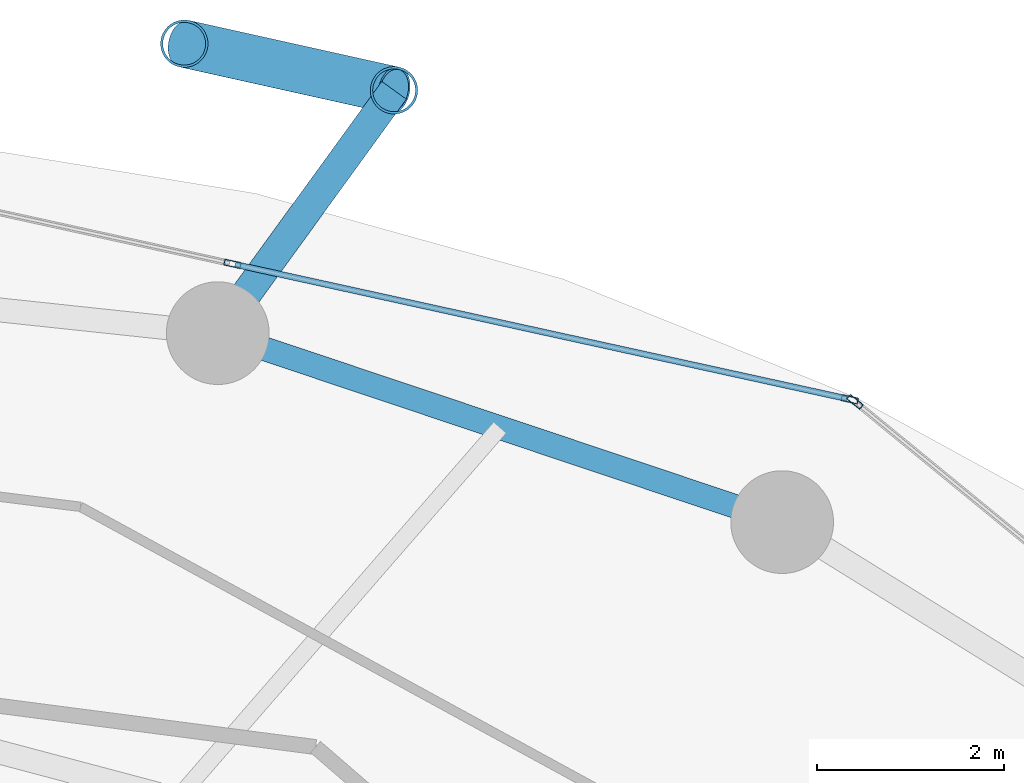
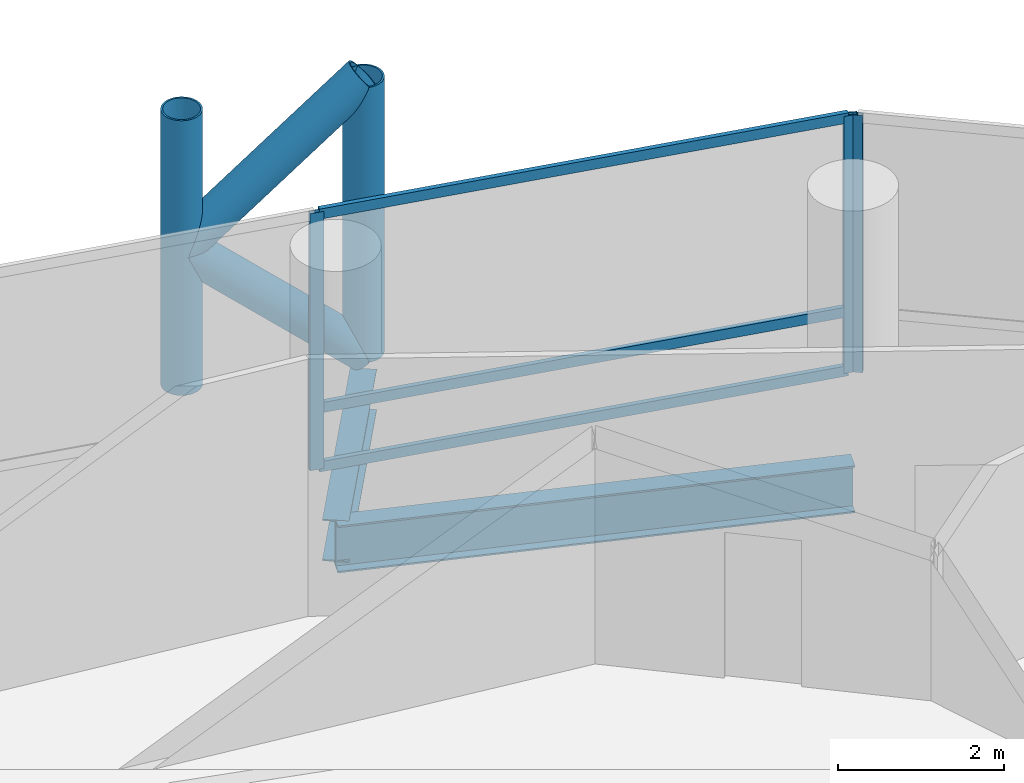
# One storey, part 18 of 25: 10 members, 2 beams, 2 elements without a shape of their own.
"""IFC4 building model written with IfcOpenShell, lengths in metres."""

from ifc_helpers import new_model, si_unit, direction, frame, origin, origin_2d, place, context, subcontext, project, spatial, hollow_rectangle, hollow_circle, i_section, extrude, material, layer, layer_set, material_profile, profile_set, type_object, element, aggregate, save


model = new_model("IFC4")

# Units and contexts
model_context = context("Model", 3, precision=1e-05, world=origin(), true_north=direction((0.0, 1.0)))
body_context = subcontext(model_context, "Body", "Model", "MODEL_VIEW")
ifc_project = project(units=[si_unit("LENGTHUNIT", "METRE"), si_unit("AREAUNIT", "SQUARE_METRE"), si_unit("VOLUMEUNIT", "CUBIC_METRE"), si_unit("PLANEANGLEUNIT", "RADIAN"), si_unit("MASSUNIT", "GRAM", prefix="KILO")], contexts=[model_context])

# Site, building, storey
site_placement = place(None, origin())
site = spatial("IfcSite", under=ifc_project, at=site_placement, CompositionType="ELEMENT")
building_placement = place(site_placement, origin())
building = spatial("IfcBuilding", under=site, at=building_placement, Name="Nuhasar Tower", CompositionType="ELEMENT")
storey_placement = place(building_placement, frame((0.0, 0.0, 49.35009765625)))
storey = spatial("IfcBuildingStorey", under=building, at=storey_placement, Name="L11", CompositionType="ELEMENT", Elevation=49.35009765625)

# Beams
ifc_material_1 = material(Name="Steel S355", Category="steel")
ifc_material_profile_1 = material_profile(ifc_material_1, i_section(OverallWidth=0.256103515625, OverallDepth=0.693115234375, WebThickness=0.014404296875, FlangeThickness=0.023681640625, at=origin_2d()), Name="W27X114")
ifc_profile_set_1 = profile_set([ifc_material_profile_1], Name="Steel S355")
beam_type_1 = type_object("IfcBeamType", Name="BM-RING-W27X114", PredefinedType="SPANDREL", material=ifc_profile_set_1)
beam_1_placement = place(storey_placement, frame((51.52490234375, 44.3369140625, -0.606201171875), z_axis=(-0.948249435708, 0.317526388949, 0.0), x_axis=(-0.317526388949, -0.948249435708, 0.0)))
element("IfcBeam", 1, at=beam_1_placement, inside=storey, type_object=beam_type_1, Name="L11 Perimeter Ring Spandrel 05", PredefinedType="SPANDREL", context=body_context, shape_type="SweptSolid", body=[
    extrude(i_section(OverallWidth=0.256103515625, OverallDepth=0.693115234375, WebThickness=0.014404296875, FlangeThickness=0.023681640625, at=origin_2d()), origin(), (0.0, 0.0, 1.0), 6.371826171875),
])
ifc_material_profile_2 = material_profile(ifc_material_1, i_section(OverallWidth=0.323974609375, OverallDepth=0.611083984375, WebThickness=0.0126953125, FlangeThickness=0.01904296875, at=origin_2d()), Name="W24X104")
ifc_profile_set_2 = profile_set([ifc_material_profile_2], Name="Steel S355")
beam_type_2 = type_object("IfcBeamType", Name="BM-TIE-W24X104", PredefinedType="BEAM", material=ifc_profile_set_2)
beam_2_placement = place(storey_placement, frame((45.48291015625, 46.360107421875, -0.565185546875), z_axis=(0.587439442414, 0.809268127073, 0.0), x_axis=(-0.809268127073, 0.587439442414, 0.0)))
element("IfcBeam", 2, at=beam_2_placement, inside=storey, type_object=beam_type_2, Name="L11 Exoskeleton Node Tie Beam 03", PredefinedType="BEAM", context=body_context, shape_type="SweptSolid", body=[
    extrude(i_section(OverallWidth=0.323974609375, OverallDepth=0.611083984375, WebThickness=0.0126953125, FlangeThickness=0.01904296875, at=origin_2d()), origin(), (0.0, 0.0, 1.0), 3.212646484375),
])

# Curtain wall, member
ifc_material_2 = material(Name="Aluminium 6063-T6", Category="aluminium")
ifc_layer = layer(ifc_material_2, 0.199951171875)
ifc_layer_set = layer_set([ifc_layer], Name="Aluminium 6063-T6")
curtain_wall_type = type_object("IfcCurtainWallType", Name="CW-Z1-OFF", PredefinedType="NOTDEFINED", material=ifc_layer_set)
curtain_wall_1_placement = place(storey_placement, origin())
curtain_wall_1 = element("IfcCurtainWall", 3, at=curtain_wall_1_placement, inside=storey, type_object=curtain_wall_type, Name="L11 Unitised Curtain Wall 02", PredefinedType="NOTDEFINED")
ifc_material_profile_3 = material_profile(ifc_material_2, hollow_rectangle(XDim=0.06494140625, YDim=0.179931640625, WallThickness=0.0048828125, at=origin_2d()), Name="CWM-2")
ifc_profile_set_3 = profile_set([ifc_material_profile_3], Name="Aluminium 6063-T6")
member_type_1 = type_object("IfcMemberType", Name="CW-MUL-S2", PredefinedType="MULLION", material=ifc_profile_set_3)
member_1_placement = place(storey_placement, frame((52.30517578125, 45.62451171875, 0.0), z_axis=(0.0, 0.0, 1.0), x_axis=(-0.633744593376, -0.773542364946, 0.0)))
member_1 = element("IfcMember", 4, at=member_1_placement, type_object=member_type_1, Name="CW-Z1 mullion 2", PredefinedType="MULLION", context=body_context, shape_type="SweptSolid", body=[
    extrude(hollow_rectangle(XDim=0.06494140625, YDim=0.179931640625, WallThickness=0.0048828125, at=origin_2d()), origin(), (0.0, 0.0, 1.0), 3.789794921875),
])
aggregate(curtain_wall_1, [member_1])

# Curtain wall, members
curtain_wall_2_placement = place(storey_placement, origin())
curtain_wall_2 = element("IfcCurtainWall", 5, at=curtain_wall_2_placement, inside=storey, type_object=curtain_wall_type, Name="L11 Unitised Curtain Wall 03", PredefinedType="NOTDEFINED")
member_2_placement = place(storey_placement, frame((52.248291015625, 45.65185546875, 0.0), z_axis=(0.0, 0.0, 1.0), x_axis=(-0.214398737637, -0.976746221544, 0.0)))
member_2 = element("IfcMember", 6, at=member_2_placement, type_object=member_type_1, Name="CW-Z1 mullion 1", PredefinedType="MULLION", context=body_context, shape_type="SweptSolid", body=[
    extrude(hollow_rectangle(XDim=0.06494140625, YDim=0.179931640625, WallThickness=0.0048828125, at=origin_2d()), origin(), (0.0, 0.0, 1.0), 3.789794921875),
])
member_3_placement = place(storey_placement, frame((45.639892578125, 47.1025390625, 0.0), z_axis=(0.0, 0.0, 1.0), x_axis=(-0.214398737637, -0.976746221544, 0.0)))
member_3 = element("IfcMember", 7, at=member_3_placement, type_object=member_type_1, Name="CW-Z1 mullion 2", PredefinedType="MULLION", context=body_context, shape_type="SweptSolid", body=[
    extrude(hollow_rectangle(XDim=0.06494140625, YDim=0.179931640625, WallThickness=0.0048828125, at=origin_2d()), origin(), (0.0, 0.0, 1.0), 3.789794921875),
])
ifc_material_profile_4 = material_profile(ifc_material_2, hollow_rectangle(XDim=0.06494140625, YDim=0.14990234375, WallThickness=0.00439453125, at=origin_2d()), Name="CWT-2")
ifc_profile_set_4 = profile_set([ifc_material_profile_4], Name="Aluminium 6063-T6")
member_type_2 = type_object("IfcMemberType", Name="CW-TRN-S2", PredefinedType="USERDEFINED", material=ifc_profile_set_4)
member_4_placement = place(storey_placement, frame((52.216552734375, 45.658935546875, 0.032470703125), z_axis=(-0.976749553792, 0.214383556196, 0.0), x_axis=(-0.214383556196, -0.976749553792, 0.0)))
member_4 = element("IfcMember", 8, at=member_4_placement, type_object=member_type_2, Name="CW-Z1 transom 1.1", ObjectType="TRANSOM", PredefinedType="USERDEFINED", context=body_context, shape_type="SweptSolid", body=[
    extrude(hollow_rectangle(XDim=0.06494140625, YDim=0.14990234375, WallThickness=0.00439453125, at=origin_2d()), origin(), (0.0, 0.0, 1.0), 6.70068359375),
])
member_5_placement = place(storey_placement, frame((52.216552734375, 45.658935546875, 0.89990234375), z_axis=(-0.976749553792, 0.214383556196, 0.0), x_axis=(-0.214383556196, -0.976749553792, 0.0)))
member_5 = element("IfcMember", 9, at=member_5_placement, type_object=member_type_2, Name="CW-Z1 transom 1.2", ObjectType="TRANSOM", PredefinedType="USERDEFINED", context=body_context, shape_type="SweptSolid", body=[
    extrude(hollow_rectangle(XDim=0.06494140625, YDim=0.14990234375, WallThickness=0.00439453125, at=origin_2d()), origin(), (0.0, 0.0, 1.0), 6.70068359375),
])
member_6_placement = place(storey_placement, frame((52.216552734375, 45.658935546875, 3.75732421875), z_axis=(-0.976749553792, 0.214383556196, 0.0), x_axis=(-0.214383556196, -0.976749553792, 0.0)))
member_6 = element("IfcMember", 10, at=member_6_placement, type_object=member_type_2, Name="CW-Z1 transom 1.3", ObjectType="TRANSOM", PredefinedType="USERDEFINED", context=body_context, shape_type="SweptSolid", body=[
    extrude(hollow_rectangle(XDim=0.06494140625, YDim=0.14990234375, WallThickness=0.00439453125, at=origin_2d()), origin(), (0.0, 0.0, 1.0), 6.70068359375),
])
aggregate(curtain_wall_2, [member_2, member_3, member_4, member_5, member_6])

# Members
ifc_material_3 = material(Name="Steel S460", Category="steel")
ifc_material_profile_5 = material_profile(ifc_material_3, hollow_circle(Radius=0.25390625, WallThickness=0.025390625, at=origin_2d()), Name="HSS508X25.4")
ifc_profile_set_5 = profile_set([ifc_material_profile_5], Name="Steel S460")
member_type_3 = type_object("IfcMemberType", Name="EXO-BRONZE-508", PredefinedType="BRACE", material=ifc_profile_set_5)
for number, where, z_axis, x_axis, name in (
    (11, (47.3701171875, 48.9599609375, 0.0), (0.0, 0.0, 1.0), (1.0, 0.0, 0.0), "L11 Exoskeleton Chord Column EC-03A"),
    (12, (45.1240234375, 49.458984375, 0.0), (0.0, 0.0, 1.0), (1.0, 0.0, 0.0), "L11 Exoskeleton Chord Column EC-03B"),
):
    element("IfcMember", number, at=place(storey_placement, frame(where, z_axis=z_axis, x_axis=x_axis)), inside=storey, type_object=member_type_3, Name=name, PredefinedType="BRACE", context=body_context, shape_type="SweptSolid", body=[
        extrude(hollow_circle(Radius=0.25390625, WallThickness=0.025390625, at=origin_2d()), origin(), (0.0, 0.0, 1.0), 4.0498046875),
    ])
for number, where, z_axis, x_axis, name in (
    (13, (47.3701171875, 48.9599609375, 0.0), (-0.732821471909, 0.162813813976, 0.660654487828), (-0.216885517571, -0.97619704582, 0.0), "L11 Bronze Diagrid Brace W1-03"),
    (14, (45.1240234375, 49.458984375, 2.02490234375), (0.732821471909, -0.162813813976, 0.660654487828), (0.216885517571, 0.97619704582, 0.0), "L11 Bronze Diagrid Brace W2-03"),
):
    element("IfcMember", number, at=place(storey_placement, frame(where, z_axis=z_axis, x_axis=x_axis)), inside=storey, type_object=member_type_3, Name=name, PredefinedType="BRACE", context=body_context, shape_type="SweptSolid", body=[
        extrude(hollow_circle(Radius=0.25390625, WallThickness=0.025390625, at=origin_2d()), origin(), (0.0, 0.0, 1.0), 3.06494140625),
    ])

save(model, "model.ifc")
